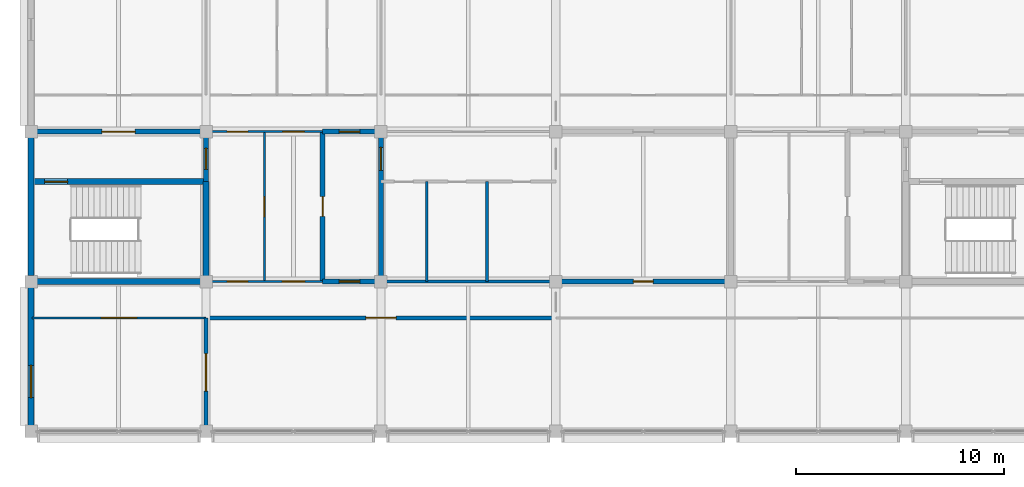
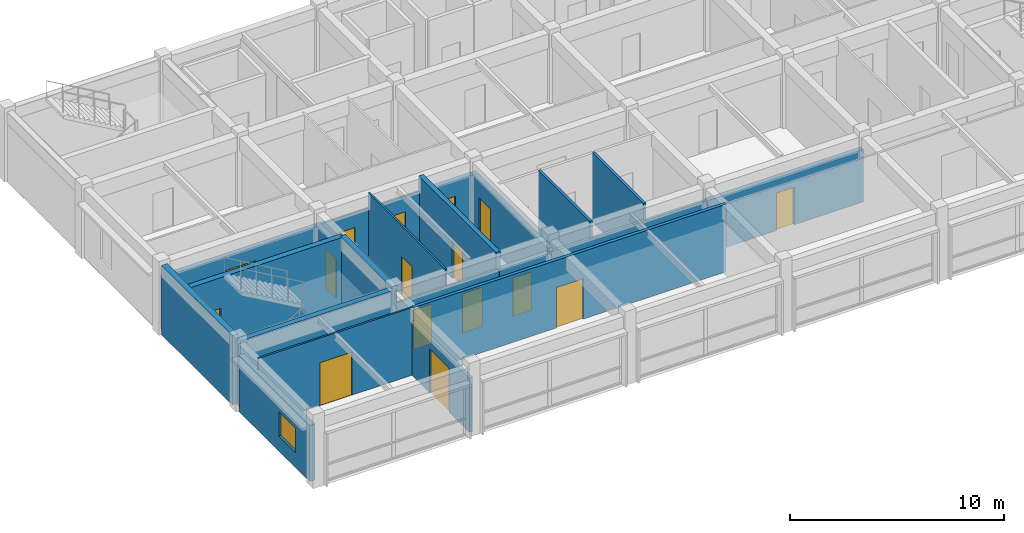
# One storey, part 8 of 13: 21 walls, 16 doors, 1 window, 17 openings.
"""IFC4 building model written with IfcOpenShell, lengths in metres."""

from ifc_helpers import new_model, si_unit, direction, frame, frame_2d, origin, place, context, subcontext, project, spatial, rectangle, extrude, material, layer, layer_set, type_object, element, fill, save


model = new_model("IFC4")

# Units and contexts
model_context = context("Model", 3, precision=1e-05, world=origin(), true_north=direction((0.0, 1.0)))
body_context = subcontext(model_context, "Body", "Model", "MODEL_VIEW")
ifc_project = project(units=[si_unit("LENGTHUNIT", "METRE"), si_unit("AREAUNIT", "SQUARE_METRE"), si_unit("VOLUMEUNIT", "CUBIC_METRE"), si_unit("PLANEANGLEUNIT", "RADIAN"), si_unit("MASSUNIT", "GRAM", prefix="KILO")], contexts=[model_context])

# Site, building, storey
site_placement = place(None, origin())
site = spatial("IfcSite", under=ifc_project, at=site_placement, CompositionType="ELEMENT")
building_placement = place(site_placement, origin())
building = spatial("IfcBuilding", under=site, at=building_placement, Name="Chengyuan Square Courthouse", CompositionType="ELEMENT")
storey_placement = place(building_placement, frame((0.0, 0.0, 64.5)))
storey = spatial("IfcBuildingStorey", under=building, at=storey_placement, Name="L15", CompositionType="ELEMENT", Elevation=64.5)

# Wall, opening, window
ifc_material_1 = material(Name="Concrete C40", Category="concrete")
ifc_layer_1 = layer(ifc_material_1, 0.280029296875)
ifc_layer_set_1 = layer_set([ifc_layer_1], Name="Concrete C40")
wall_type_1 = type_object("IfcWallType", Name="WL-EW4", PredefinedType="STANDARD", material=ifc_layer_set_1)
wall_1_placement = place(storey_placement, frame((58.800048828125, 79.4951171875, 0.0), z_axis=(0.0, 0.0, 1.0), x_axis=(0.0, 1.0, 0.0)))
wall_1 = element("IfcWall", 1, at=wall_1_placement, inside=storey, type_object=wall_type_1, Name="Exterior Wall WL-L15-E522", PredefinedType="STANDARD", context=body_context, shape_type="SweptSolid", body=[
    extrude(rectangle(XDim=6.60986328125, YDim=0.280029296875, at=frame_2d((3.304931640625, 0.0))), origin(), (0.0, 0.0, 1.0), 3.199951171875),
])
opening_1_placement = place(wall_1_placement, frame((1.330078125, 0.0, 0.85009765625)))
opening_1 = element("IfcOpeningElement", 2, at=opening_1_placement, cuts=wall_1, Name="Opening WN-242", PredefinedType="OPENING", context=body_context, shape_type="SweptSolid", body=[
    extrude(rectangle(XDim=1.550048828125, YDim=1.3798828125, at=frame_2d((0.77490234375, 0.68994140625))), frame((0.0, 0.152099609375, 0.0), z_axis=(0.0, -1.0, 0.0), x_axis=(1.0, 0.0, 0.0)), (0.0, 0.0, 1.0), 0.303955078125),
])
ifc_material_2 = material(Name="Thermally Broken Aluminium Triple Low-E Window", Category="aluminium")
window_type = type_object("IfcWindowType", Name="WT-26", PartitioningType="SINGLE_PANEL", PredefinedType="WINDOW", material=ifc_material_2)
window_placement = place(opening_1_placement, origin())
window = element("IfcWindow", 3, at=window_placement, inside=storey, type_object=window_type, Name="Facade Window WN-242", OverallHeight=1.3798828125, OverallWidth=1.550048828125, PartitioningType="SINGLE_PANEL", PredefinedType="WINDOW", context=body_context, shape_type="SweptSolid", body=[
    extrude(rectangle(XDim=1.550048828125, YDim=1.3798828125, at=frame_2d((0.77490234375, 0.68994140625))), frame((0.0, 0.030029296875, 0.0), z_axis=(0.0, -1.0, 0.0), x_axis=(1.0, 0.0, 0.0)), (0.0, 0.0, 1.0), 0.06005859375),
])
fill(opening_1, window)

# Wall, opening, door
ifc_layer_2 = layer(ifc_material_1, 0.25)
ifc_layer_set_2 = layer_set([ifc_layer_2], Name="Concrete C40")
wall_type_2 = type_object("IfcWallType", Name="WL-FW1", PredefinedType="STANDARD", material=ifc_layer_set_2)
wall_2_placement = place(storey_placement, frame((72.800048828125, 86.39990234375, 0.0), z_axis=(0.0, 0.0, 1.0), x_axis=(1.0, 0.0, 0.0)))
wall_2 = element("IfcWall", 4, at=wall_2_placement, inside=storey, type_object=wall_type_2, Name="Interior Wall WL-L15-I3997", PredefinedType="STANDARD", context=body_context, shape_type="SweptSolid", body=[
    extrude(rectangle(XDim=2.800048828125, YDim=0.25, at=frame_2d((1.39990234375, 0.0))), origin(), (0.0, 0.0, 1.0), 3.0),
])
opening_2_placement = place(wall_2_placement, frame((0.7900390625, 0.0, 0.0)))
opening_2 = element("IfcOpeningElement", 5, at=opening_2_placement, cuts=wall_2, Name="Opening DR-3358", PredefinedType="OPENING", context=body_context, shape_type="SweptSolid", body=[
    extrude(rectangle(XDim=1.0, YDim=2.199951171875, at=frame_2d((0.5, 1.10009765625))), frame((0.0, 0.136962890625, 0.0), z_axis=(0.0, -1.0, 0.0), x_axis=(1.0, 0.0, 0.0)), (0.0, 0.0, 1.0), 0.27392578125),
])
ifc_material_3 = material(Name="Steel Q235B Fire Door", Category="steel")
door_type_1 = type_object("IfcDoorType", Name="DT-11", OperationType="NOTDEFINED", PredefinedType="DOOR", material=ifc_material_3)
door_1_placement = place(opening_2_placement, origin())
door_1 = element("IfcDoor", 6, at=door_1_placement, inside=storey, type_object=door_type_1, Name="Interior Door DR-3358", OperationType="SINGLE_SWING_LEFT", OverallHeight=2.199951171875, OverallWidth=1.0, PredefinedType="DOOR", context=body_context, shape_type="SweptSolid", body=[
    extrude(rectangle(XDim=1.0, YDim=2.199951171875, at=frame_2d((0.5, 1.10009765625))), frame((0.0, 0.02490234375, 0.0), z_axis=(0.0, -1.0, 0.0), x_axis=(1.0, 0.0, 0.0)), (0.0, 0.0, 1.0), 0.050048828125),
])
fill(opening_2, door_1)

wall_3_placement = place(storey_placement, frame((84.0, 86.39990234375, 0.0), z_axis=(0.0, 0.0, 1.0), x_axis=(1.0, 0.0, 0.0)))
wall_3 = element("IfcWall", 7, at=wall_3_placement, inside=storey, type_object=wall_type_2, Name="Interior Wall WL-L15-I3999", PredefinedType="STANDARD", context=body_context, shape_type="SweptSolid", body=[
    extrude(rectangle(XDim=8.39990234375, YDim=0.25, at=frame_2d((4.199951171875, 0.0))), origin(), (0.0, 0.0, 1.0), 3.0),
])
opening_3_placement = place(wall_3_placement, frame((3.72509765625, 0.0, 0.0)))
opening_3 = element("IfcOpeningElement", 8, at=opening_3_placement, cuts=wall_3, Name="Opening DR-3359", PredefinedType="OPENING", context=body_context, shape_type="SweptSolid", body=[
    extrude(rectangle(XDim=0.949951171875, YDim=2.14990234375, at=frame_2d((0.47509765625, 1.074951171875))), frame((0.0, 0.136962890625, 0.0), z_axis=(0.0, -1.0, 0.0), x_axis=(1.0, 0.0, 0.0)), (0.0, 0.0, 1.0), 0.27392578125),
])
door_type_2 = type_object("IfcDoorType", Name="DT-12", OperationType="NOTDEFINED", PredefinedType="DOOR", material=ifc_material_3)
door_2_placement = place(opening_3_placement, origin())
door_2 = element("IfcDoor", 9, at=door_2_placement, inside=storey, type_object=door_type_2, Name="Interior Door DR-3359", OperationType="SINGLE_SWING_RIGHT", OverallHeight=2.14990234375, OverallWidth=0.949951171875, PredefinedType="DOOR", context=body_context, shape_type="SweptSolid", body=[
    extrude(rectangle(XDim=0.949951171875, YDim=2.14990234375, at=frame_2d((0.47509765625, 1.074951171875))), frame((0.0, 0.02490234375, 0.0), z_axis=(0.0, -1.0, 0.0), x_axis=(1.0, 0.0, 0.0)), (0.0, 0.0, 1.0), 0.050048828125),
])
fill(opening_3, door_2)

wall_4_placement = place(storey_placement, frame((58.840087890625, 93.60009765625, 0.0), z_axis=(0.0, 0.0, 1.0), x_axis=(1.0, 0.0, 0.0)))
wall_4 = element("IfcWall", 10, at=wall_4_placement, inside=storey, type_object=wall_type_2, Name="Interior Wall WL-L15-I4006", PredefinedType="STANDARD", context=body_context, shape_type="SweptSolid", body=[
    extrude(rectangle(XDim=8.35986328125, YDim=0.25, at=frame_2d((4.179931640625, 0.0))), origin(), (0.0, 0.0, 1.0), 3.10009765625),
])
opening_4_placement = place(wall_4_placement, frame((3.360107421875, 0.0, 0.0)))
opening_4 = element("IfcOpeningElement", 11, at=opening_4_placement, cuts=wall_4, Name="Opening DR-3309", PredefinedType="OPENING", context=body_context, shape_type="SweptSolid", body=[
    extrude(rectangle(XDim=1.60009765625, YDim=2.300048828125, at=frame_2d((0.800048828125, 1.14990234375))), frame((0.0, 0.136962890625, 0.0), z_axis=(0.0, -1.0, 0.0), x_axis=(1.0, 0.0, 0.0)), (0.0, 0.0, 1.0), 0.27392578125),
])
ifc_material_4 = material(Name="Steel Q235B Glazed Fire Door", Category="steel")
door_type_3 = type_object("IfcDoorType", Name="DT-17", OperationType="DOUBLE_DOOR_SINGLE_SWING", PredefinedType="DOOR", material=ifc_material_4)
door_3_placement = place(opening_4_placement, frame((1.60009765625, 0.0, 0.0), z_axis=(0.0, 0.0, 1.0), x_axis=(-1.0, 0.0, 0.0)))
door_3 = element("IfcDoor", 12, at=door_3_placement, inside=storey, type_object=door_type_3, Name="Interior Door DR-3309", OperationType="DOUBLE_DOOR_SINGLE_SWING", OverallHeight=2.300048828125, OverallWidth=1.60009765625, PredefinedType="DOOR", context=body_context, shape_type="SweptSolid", body=[
    extrude(rectangle(XDim=1.60009765625, YDim=2.300048828125, at=frame_2d((0.800048828125, 1.14990234375))), frame((0.0, 0.02490234375, 0.0), z_axis=(0.0, -1.0, 0.0), x_axis=(1.0, 0.0, 0.0)), (0.0, 0.0, 1.0), 0.050048828125),
])
fill(opening_4, door_3)

wall_5_placement = place(storey_placement, frame((72.800048828125, 93.60009765625, 0.0), z_axis=(0.0, 0.0, 1.0), x_axis=(1.0, 0.0, 0.0)))
wall_5 = element("IfcWall", 13, at=wall_5_placement, inside=storey, type_object=wall_type_2, Name="Interior Wall WL-L15-I4008", PredefinedType="STANDARD", context=body_context, shape_type="SweptSolid", body=[
    extrude(rectangle(XDim=2.800048828125, YDim=0.25, at=frame_2d((1.39990234375, 0.0))), origin(), (0.0, 0.0, 1.0), 3.10009765625),
])
opening_5_placement = place(wall_5_placement, frame((0.7900390625, 0.0, 0.0)))
opening_5 = element("IfcOpeningElement", 14, at=opening_5_placement, cuts=wall_5, Name="Opening DR-3340", PredefinedType="OPENING", context=body_context, shape_type="SweptSolid", body=[
    extrude(rectangle(XDim=1.0, YDim=2.199951171875, at=frame_2d((0.5, 1.10009765625))), frame((0.0, 0.136962890625, 0.0), z_axis=(0.0, -1.0, 0.0), x_axis=(1.0, 0.0, 0.0)), (0.0, 0.0, 1.0), 0.27392578125),
])
door_4_placement = place(opening_5_placement, origin())
door_4 = element("IfcDoor", 15, at=door_4_placement, inside=storey, type_object=door_type_1, Name="Interior Door DR-3340", OperationType="SINGLE_SWING_LEFT", OverallHeight=2.199951171875, OverallWidth=1.0, PredefinedType="DOOR", context=body_context, shape_type="SweptSolid", body=[
    extrude(rectangle(XDim=1.0, YDim=2.199951171875, at=frame_2d((0.5, 1.10009765625))), frame((0.0, 0.02490234375, 0.0), z_axis=(0.0, -1.0, 0.0), x_axis=(1.0, 0.0, 0.0)), (0.0, 0.0, 1.0), 0.050048828125),
])
fill(opening_5, door_4)

wall_6_placement = place(storey_placement, frame((67.199951171875, 91.199951171875, 0.0), z_axis=(0.0, 0.0, 1.0), x_axis=(0.0, 1.0, 0.0)))
wall_6 = element("IfcWall", 16, at=wall_6_placement, inside=storey, type_object=wall_type_2, Name="Interior Wall WL-L15-I4039", PredefinedType="STANDARD", context=body_context, shape_type="SweptSolid", body=[
    extrude(rectangle(XDim=2.400146484375, YDim=0.25, at=frame_2d((1.2001953125, 0.0))), origin(), (0.0, 0.0, 1.0), 3.199951171875),
])
opening_6_placement = place(wall_6_placement, frame((0.590087890625, 0.0, 0.0)))
opening_6 = element("IfcOpeningElement", 17, at=opening_6_placement, cuts=wall_6, Name="Opening DR-3310", PredefinedType="OPENING", context=body_context, shape_type="SweptSolid", body=[
    extrude(rectangle(XDim=1.0, YDim=2.199951171875, at=frame_2d((0.5, 1.10009765625))), frame((0.0, 0.136962890625, 0.0), z_axis=(0.0, -1.0, 0.0), x_axis=(1.0, 0.0, 0.0)), (0.0, 0.0, 1.0), 0.27392578125),
])
door_5_placement = place(opening_6_placement, origin())
door_5 = element("IfcDoor", 18, at=door_5_placement, inside=storey, type_object=door_type_1, Name="Interior Door DR-3310", OperationType="SINGLE_SWING_RIGHT", OverallHeight=2.199951171875, OverallWidth=1.0, PredefinedType="DOOR", context=body_context, shape_type="SweptSolid", body=[
    extrude(rectangle(XDim=1.0, YDim=2.199951171875, at=frame_2d((0.5, 1.10009765625))), frame((0.0, 0.02490234375, 0.0), z_axis=(0.0, -1.0, 0.0), x_axis=(1.0, 0.0, 0.0)), (0.0, 0.0, 1.0), 0.050048828125),
])
fill(opening_6, door_5)

wall_7_placement = place(storey_placement, frame((72.800048828125, 86.39990234375, 0.0), z_axis=(0.0, 0.0, 1.0), x_axis=(0.0, 1.0, 0.0)))
wall_7 = element("IfcWall", 19, at=wall_7_placement, inside=storey, type_object=wall_type_2, Name="Interior Wall WL-L15-I4050", PredefinedType="STANDARD", context=body_context, shape_type="SweptSolid", body=[
    extrude(rectangle(XDim=7.2001953125, YDim=0.25, at=frame_2d((3.60009765625, 0.0))), origin(), (0.0, 0.0, 1.0), 3.949951171875),
])
opening_7_placement = place(wall_7_placement, frame((3.125, 0.0, 0.0)))
opening_7 = element("IfcOpeningElement", 20, at=opening_7_placement, cuts=wall_7, Name="Opening DR-3356", PredefinedType="OPENING", context=body_context, shape_type="SweptSolid", body=[
    extrude(rectangle(XDim=0.949951171875, YDim=2.14990234375, at=frame_2d((0.47509765625, 1.074951171875))), frame((0.0, 0.136962890625, 0.0), z_axis=(0.0, -1.0, 0.0), x_axis=(1.0, 0.0, 0.0)), (0.0, 0.0, 1.0), 0.27392578125),
])
door_6_placement = place(opening_7_placement, origin())
door_6 = element("IfcDoor", 21, at=door_6_placement, inside=storey, type_object=door_type_2, Name="Interior Door DR-3356", OperationType="SINGLE_SWING_LEFT", OverallHeight=2.14990234375, OverallWidth=0.949951171875, PredefinedType="DOOR", context=body_context, shape_type="SweptSolid", body=[
    extrude(rectangle(XDim=0.949951171875, YDim=2.14990234375, at=frame_2d((0.47509765625, 1.074951171875))), frame((0.0, 0.02490234375, 0.0), z_axis=(0.0, -1.0, 0.0), x_axis=(1.0, 0.0, 0.0)), (0.0, 0.0, 1.0), 0.050048828125),
])
fill(opening_7, door_6)

wall_8_placement = place(storey_placement, frame((75.60009765625, 86.39990234375, 0.0), z_axis=(0.0, 0.0, 1.0), x_axis=(0.0, 1.0, 0.0)))
wall_8 = element("IfcWall", 22, at=wall_8_placement, inside=storey, type_object=wall_type_2, Name="Interior Wall WL-L15-I4052", PredefinedType="STANDARD", context=body_context, shape_type="SweptSolid", body=[
    extrude(rectangle(XDim=7.2001953125, YDim=0.25, at=frame_2d((3.60009765625, 0.0))), origin(), (0.0, 0.0, 1.0), 3.199951171875),
])
opening_8_placement = place(wall_8_placement, frame((5.340087890625, 0.0, 0.0)))
opening_8 = element("IfcOpeningElement", 23, at=opening_8_placement, cuts=wall_8, Name="Opening DR-3330", PredefinedType="OPENING", context=body_context, shape_type="SweptSolid", body=[
    extrude(rectangle(XDim=1.10009765625, YDim=2.199951171875, at=frame_2d((0.550048828125, 1.10009765625))), frame((0.0, 0.136962890625, 0.0), z_axis=(0.0, -1.0, 0.0), x_axis=(1.0, 0.0, 0.0)), (0.0, 0.0, 1.0), 0.27392578125),
])
door_type_4 = type_object("IfcDoorType", Name="DT-10", OperationType="NOTDEFINED", PredefinedType="DOOR", material=ifc_material_3)
door_7_placement = place(opening_8_placement, origin())
door_7 = element("IfcDoor", 24, at=door_7_placement, inside=storey, type_object=door_type_4, Name="Interior Door DR-3330", OperationType="SINGLE_SWING_LEFT", OverallHeight=2.199951171875, OverallWidth=1.10009765625, PredefinedType="DOOR", context=body_context, shape_type="SweptSolid", body=[
    extrude(rectangle(XDim=1.10009765625, YDim=2.199951171875, at=frame_2d((0.550048828125, 1.10009765625))), frame((0.0, 0.02490234375, 0.0), z_axis=(0.0, -1.0, 0.0), x_axis=(1.0, 0.0, 0.0)), (0.0, 0.0, 1.0), 0.050048828125),
])
fill(opening_8, door_7)

ifc_material_5 = material(Name="Double-Stud Acoustic Gypsum Courtroom Partition")
ifc_layer_3 = layer(ifc_material_5, 0.179931640625)
ifc_layer_set_3 = layer_set([ifc_layer_3], Name="Double-Stud Acoustic Gypsum Courtroom Partition")
wall_type_3 = type_object("IfcWallType", Name="WL-PT1", PredefinedType="STANDARD", material=ifc_layer_set_3)
wall_9_placement = place(storey_placement, frame((67.199951171875, 84.64990234375, 0.0), z_axis=(0.0, 0.0, 1.0), x_axis=(1.0, 0.0, 0.0)))
wall_9 = element("IfcWall", 25, at=wall_9_placement, inside=storey, type_object=wall_type_3, Name="Interior Wall WL-L15-I3993", PredefinedType="STANDARD", context=body_context, shape_type="SweptSolid", body=[
    extrude(rectangle(XDim=16.800048828125, YDim=0.179931640625, at=frame_2d((8.39990234375, 0.0))), origin(), (0.0, 0.0, 1.0), 3.85009765625),
])
opening_9_placement = place(wall_9_placement, frame((7.675048828125, 0.0, 0.0)))
opening_9 = element("IfcOpeningElement", 26, at=opening_9_placement, cuts=wall_9, Name="Opening DR-3367", PredefinedType="OPENING", context=body_context, shape_type="SweptSolid", body=[
    extrude(rectangle(XDim=1.449951171875, YDim=2.300048828125, at=frame_2d((0.72509765625, 1.14990234375))), frame((0.0, 0.10205078125, 0.0), z_axis=(0.0, -1.0, 0.0), x_axis=(1.0, 0.0, 0.0)), (0.0, 0.0, 1.0), 0.203857421875),
])
ifc_material_6 = material(Name="Acoustic Larch Veneer Double Door")
door_type_5 = type_object("IfcDoorType", Name="DT-25", OperationType="DOUBLE_DOOR_SINGLE_SWING", PredefinedType="DOOR", material=ifc_material_6)
door_8_placement = place(opening_9_placement, frame((1.449951171875, 0.0, 0.0), z_axis=(0.0, 0.0, 1.0), x_axis=(-1.0, 0.0, 0.0)))
door_8 = element("IfcDoor", 27, at=door_8_placement, inside=storey, type_object=door_type_5, Name="Interior Door DR-3367", OperationType="DOUBLE_DOOR_SINGLE_SWING", OverallHeight=2.300048828125, OverallWidth=1.449951171875, PredefinedType="DOOR", context=body_context, shape_type="SweptSolid", body=[
    extrude(rectangle(XDim=1.449951171875, YDim=2.300048828125, at=frame_2d((0.72509765625, 1.14990234375))), frame((0.0, 0.02490234375, 0.0), z_axis=(0.0, -1.0, 0.0), x_axis=(1.0, 0.0, 0.0)), (0.0, 0.0, 1.0), 0.050048828125),
])
fill(opening_9, door_8)

wall_10_placement = place(storey_placement, frame((67.199951171875, 79.239990234375, 0.0), z_axis=(0.0, 0.0, 1.0), x_axis=(0.0, 1.0, 0.0)))
wall_10 = element("IfcWall", 28, at=wall_10_placement, inside=storey, type_object=wall_type_3, Name="Interior Wall WL-L15-I4037", PredefinedType="STANDARD", context=body_context, shape_type="SweptSolid", body=[
    extrude(rectangle(XDim=5.409912109375, YDim=0.179931640625, at=frame_2d((2.705078125, 0.0))), origin(), (0.0, 0.0, 1.0), 3.10009765625),
])
opening_10_placement = place(wall_10_placement, frame((1.89501953125, 0.0, 0.0)))
opening_10 = element("IfcOpeningElement", 29, at=opening_10_placement, cuts=wall_10, Name="Opening DR-3369", PredefinedType="OPENING", context=body_context, shape_type="SweptSolid", body=[
    extrude(rectangle(XDim=1.800048828125, YDim=2.5, at=frame_2d((0.89990234375, 1.25))), frame((0.0, 0.10205078125, 0.0), z_axis=(0.0, -1.0, 0.0), x_axis=(1.0, 0.0, 0.0)), (0.0, 0.0, 1.0), 0.203857421875),
])
door_type_6 = type_object("IfcDoorType", Name="DT-21", OperationType="DOUBLE_DOOR_SINGLE_SWING", PredefinedType="DOOR", material=ifc_material_6)
door_9_placement = place(opening_10_placement, frame((1.800048828125, 0.0, 0.0), z_axis=(0.0, 0.0, 1.0), x_axis=(-1.0, 0.0, 0.0)))
door_9 = element("IfcDoor", 30, at=door_9_placement, inside=storey, type_object=door_type_6, Name="Interior Door DR-3369", OperationType="DOUBLE_DOOR_SINGLE_SWING", OverallHeight=2.5, OverallWidth=1.800048828125, PredefinedType="DOOR", context=body_context, shape_type="SweptSolid", body=[
    extrude(rectangle(XDim=1.800048828125, YDim=2.5, at=frame_2d((0.89990234375, 1.25))), frame((0.0, 0.02490234375, 0.0), z_axis=(0.0, -1.0, 0.0), x_axis=(1.0, 0.0, 0.0)), (0.0, 0.0, 1.0), 0.050048828125),
])
fill(opening_10, door_9)

# Walls
ifc_material_7 = material(Name="Moisture-Resistant Masonry Wet-Room Partition", Category="masonry")
ifc_layer_4 = layer(ifc_material_7, 0.139892578125)
ifc_layer_set_4 = layer_set([ifc_layer_4], Name="Moisture-Resistant Masonry Wet-Room Partition")
wall_type_4 = type_object("IfcWallType", Name="WL-PT4", PredefinedType="STANDARD", material=ifc_layer_set_4)
wall_11_placement = place(storey_placement, frame((75.60009765625, 86.39990234375, 0.0), z_axis=(0.0, 0.0, 1.0), x_axis=(1.0, 0.0, 0.0)))
element("IfcWall", 31, at=wall_11_placement, inside=storey, type_object=wall_type_4, Name="Interior Wall WL-L15-I3998", PredefinedType="STANDARD", context=body_context, shape_type="SweptSolid", body=[
    extrude(rectangle(XDim=8.39990234375, YDim=0.139892578125, at=frame_2d((4.199951171875, 0.0))), origin(), (0.0, 0.0, 1.0), 3.0),
])
for number, where, z_axis, x_axis, name in (
    (32, (77.800048828125, 86.39990234375, 0.0), (0.0, 0.0, 1.0), (0.0, 1.0, 0.0), "Interior Wall WL-L15-I4057"),
    (33, (80.699951171875, 86.39990234375, 0.0), (0.0, 0.0, 1.0), (0.0, 1.0, 0.0), "Interior Wall WL-L15-I4060"),
):
    element("IfcWall", number, at=place(storey_placement, frame(where, z_axis=z_axis, x_axis=x_axis)), inside=storey, type_object=wall_type_4, Name=name, PredefinedType="STANDARD", context=body_context, shape_type="SweptSolid", body=[
        extrude(rectangle(XDim=4.800048828125, YDim=0.139892578125, at=frame_2d((2.39990234375, 0.0))), origin(), (0.0, 0.0, 1.0), 3.949951171875),
    ])

# Wall, opening, door
ifc_material_8 = material(Name="Gypsum Plasterboard Acoustic Stud Partition")
ifc_layer_5 = layer(ifc_material_8, 0.10009765625)
ifc_layer_set_5 = layer_set([ifc_layer_5], Name="Gypsum Plasterboard Acoustic Stud Partition")
wall_type_5 = type_object("IfcWallType", Name="WL-PT6", PredefinedType="STANDARD", material=ifc_layer_set_5)
wall_12_placement = place(storey_placement, frame((58.840087890625, 84.64990234375, 0.0), z_axis=(0.0, 0.0, 1.0), x_axis=(1.0, 0.0, 0.0)))
wall_12 = element("IfcWall", 34, at=wall_12_placement, inside=storey, type_object=wall_type_5, Name="Interior Wall WL-L15-I3992", PredefinedType="STANDARD", context=body_context, shape_type="SweptSolid", body=[
    extrude(rectangle(XDim=8.35986328125, YDim=0.10009765625, at=frame_2d((4.179931640625, 0.0))), origin(), (0.0, 0.0, 1.0), 3.85009765625),
])
opening_11_placement = place(wall_12_placement, frame((3.330078125, 0.0, 0.0)))
opening_11 = element("IfcOpeningElement", 35, at=opening_11_placement, cuts=wall_12, Name="Opening DR-3366", PredefinedType="OPENING", context=body_context, shape_type="SweptSolid", body=[
    extrude(rectangle(XDim=1.699951171875, YDim=2.449951171875, at=frame_2d((0.85009765625, 1.22509765625))), frame((0.0, 0.06201171875, 0.0), z_axis=(0.0, -1.0, 0.0), x_axis=(1.0, 0.0, 0.0)), (0.0, 0.0, 1.0), 0.1240234375),
])
door_type_7 = type_object("IfcDoorType", Name="DT-24", OperationType="DOUBLE_DOOR_SINGLE_SWING", PredefinedType="DOOR", material=ifc_material_6)
door_10_placement = place(opening_11_placement, frame((1.699951171875, 0.0, 0.0), z_axis=(0.0, 0.0, 1.0), x_axis=(-1.0, 0.0, 0.0)))
door_10 = element("IfcDoor", 36, at=door_10_placement, inside=storey, type_object=door_type_7, Name="Interior Door DR-3366", OperationType="DOUBLE_DOOR_SINGLE_SWING", OverallHeight=2.449951171875, OverallWidth=1.699951171875, PredefinedType="DOOR", context=body_context, shape_type="SweptSolid", body=[
    extrude(rectangle(XDim=1.699951171875, YDim=2.449951171875, at=frame_2d((0.85009765625, 1.22509765625))), frame((0.0, 0.02490234375, 0.0), z_axis=(0.0, -1.0, 0.0), x_axis=(1.0, 0.0, 0.0)), (0.0, 0.0, 1.0), 0.050048828125),
])
fill(opening_11, door_10)

# Wall, openings, doors
wall_13_placement = place(storey_placement, frame((67.199951171875, 86.39990234375, 0.0), z_axis=(0.0, 0.0, 1.0), x_axis=(1.0, 0.0, 0.0)))
wall_13 = element("IfcWall", 37, at=wall_13_placement, inside=storey, type_object=wall_type_5, Name="Interior Wall WL-L15-I3996", PredefinedType="STANDARD", context=body_context, shape_type="SweptSolid", body=[
    extrude(rectangle(XDim=5.60009765625, YDim=0.10009765625, at=frame_2d((2.800048828125, 0.0))), origin(), (0.0, 0.0, 1.0), 3.0),
])
opening_12_placement = place(wall_13_placement, frame((1.010009765625, 0.0, 0.0)))
opening_12 = element("IfcOpeningElement", 38, at=opening_12_placement, cuts=wall_13, Name="Opening DR-3355", PredefinedType="OPENING", context=body_context, shape_type="SweptSolid", body=[
    extrude(rectangle(XDim=1.0, YDim=2.25, at=frame_2d((0.5, 1.125))), frame((0.0, 0.06201171875, 0.0), z_axis=(0.0, -1.0, 0.0), x_axis=(1.0, 0.0, 0.0)), (0.0, 0.0, 1.0), 0.1240234375),
])
opening_13_placement = place(wall_13_placement, frame((3.659912109375, 0.0, 0.0)))
opening_13 = element("IfcOpeningElement", 39, at=opening_13_placement, cuts=wall_13, Name="Opening DR-3357", PredefinedType="OPENING", context=body_context, shape_type="SweptSolid", body=[
    extrude(rectangle(XDim=1.080078125, YDim=2.25, at=frame_2d((0.5400390625, 1.125))), frame((0.0, 0.06201171875, 0.0), z_axis=(0.0, -1.0, 0.0), x_axis=(1.0, 0.0, 0.0)), (0.0, 0.0, 1.0), 0.1240234375),
])
ifc_material_9 = material(Name="Acoustic Solid-Core Timber Door", Category="wood")
door_type_8 = type_object("IfcDoorType", Name="DT-31", OperationType="NOTDEFINED", PredefinedType="DOOR", material=ifc_material_9)
door_11_placement = place(opening_12_placement, origin())
door_11 = element("IfcDoor", 40, at=door_11_placement, inside=storey, type_object=door_type_8, Name="Interior Door DR-3355", OperationType="SINGLE_SWING_RIGHT", OverallHeight=2.25, OverallWidth=1.0, PredefinedType="DOOR", context=body_context, shape_type="SweptSolid", body=[
    extrude(rectangle(XDim=1.0, YDim=2.25, at=frame_2d((0.5, 1.125))), frame((0.0, 0.02490234375, 0.0), z_axis=(0.0, -1.0, 0.0), x_axis=(1.0, 0.0, 0.0)), (0.0, 0.0, 1.0), 0.050048828125),
])
fill(opening_12, door_11)
door_type_9 = type_object("IfcDoorType", Name="DT-33", OperationType="NOTDEFINED", PredefinedType="DOOR", material=ifc_material_9)
door_12_placement = place(opening_13_placement, origin())
door_12 = element("IfcDoor", 41, at=door_12_placement, inside=storey, type_object=door_type_9, Name="Interior Door DR-3357", OperationType="SINGLE_SWING_RIGHT", OverallHeight=2.25, OverallWidth=1.080078125, PredefinedType="DOOR", context=body_context, shape_type="SweptSolid", body=[
    extrude(rectangle(XDim=1.080078125, YDim=2.25, at=frame_2d((0.5400390625, 1.125))), frame((0.0, 0.02490234375, 0.0), z_axis=(0.0, -1.0, 0.0), x_axis=(1.0, 0.0, 0.0)), (0.0, 0.0, 1.0), 0.050048828125),
])
fill(opening_13, door_12)

wall_14_placement = place(storey_placement, frame((67.199951171875, 93.60009765625, 0.0), z_axis=(0.0, 0.0, 1.0), x_axis=(1.0, 0.0, 0.0)))
wall_14 = element("IfcWall", 42, at=wall_14_placement, inside=storey, type_object=wall_type_5, Name="Interior Wall WL-L15-I4007", PredefinedType="STANDARD", context=body_context, shape_type="SweptSolid", body=[
    extrude(rectangle(XDim=5.60009765625, YDim=0.10009765625, at=frame_2d((2.800048828125, 0.0))), origin(), (0.0, 0.0, 1.0), 3.10009765625),
])
opening_14_placement = place(wall_14_placement, frame((1.010009765625, 0.0, 0.0)))
opening_14 = element("IfcOpeningElement", 43, at=opening_14_placement, cuts=wall_14, Name="Opening DR-3338", PredefinedType="OPENING", context=body_context, shape_type="SweptSolid", body=[
    extrude(rectangle(XDim=1.0, YDim=2.25, at=frame_2d((0.5, 1.125))), frame((0.0, 0.06201171875, 0.0), z_axis=(0.0, -1.0, 0.0), x_axis=(1.0, 0.0, 0.0)), (0.0, 0.0, 1.0), 0.1240234375),
])
opening_15_placement = place(wall_14_placement, frame((3.679931640625, 0.0, 0.0)))
opening_15 = element("IfcOpeningElement", 44, at=opening_15_placement, cuts=wall_14, Name="Opening DR-3339", PredefinedType="OPENING", context=body_context, shape_type="SweptSolid", body=[
    extrude(rectangle(XDim=1.0400390625, YDim=2.199951171875, at=frame_2d((0.52001953125, 1.10009765625))), frame((0.0, 0.06201171875, 0.0), z_axis=(0.0, -1.0, 0.0), x_axis=(1.0, 0.0, 0.0)), (0.0, 0.0, 1.0), 0.1240234375),
])
door_13_placement = place(opening_14_placement, origin())
door_13 = element("IfcDoor", 45, at=door_13_placement, inside=storey, type_object=door_type_8, Name="Interior Door DR-3338", OperationType="SINGLE_SWING_LEFT", OverallHeight=2.25, OverallWidth=1.0, PredefinedType="DOOR", context=body_context, shape_type="SweptSolid", body=[
    extrude(rectangle(XDim=1.0, YDim=2.25, at=frame_2d((0.5, 1.125))), frame((0.0, 0.02490234375, 0.0), z_axis=(0.0, -1.0, 0.0), x_axis=(1.0, 0.0, 0.0)), (0.0, 0.0, 1.0), 0.050048828125),
])
fill(opening_14, door_13)
door_type_10 = type_object("IfcDoorType", Name="DT-32", OperationType="NOTDEFINED", PredefinedType="DOOR", material=ifc_material_9)
door_14_placement = place(opening_15_placement, origin())
door_14 = element("IfcDoor", 46, at=door_14_placement, inside=storey, type_object=door_type_10, Name="Interior Door DR-3339", OperationType="SINGLE_SWING_RIGHT", OverallHeight=2.199951171875, OverallWidth=1.0400390625, PredefinedType="DOOR", context=body_context, shape_type="SweptSolid", body=[
    extrude(rectangle(XDim=1.0400390625, YDim=2.199951171875, at=frame_2d((0.52001953125, 1.10009765625))), frame((0.0, 0.02490234375, 0.0), z_axis=(0.0, -1.0, 0.0), x_axis=(1.0, 0.0, 0.0)), (0.0, 0.0, 1.0), 0.050048828125),
])
fill(opening_15, door_14)

# Wall, opening, door
wall_15_placement = place(storey_placement, frame((70.0, 86.39990234375, 0.0), z_axis=(0.0, 0.0, 1.0), x_axis=(0.0, 1.0, 0.0)))
wall_15 = element("IfcWall", 47, at=wall_15_placement, inside=storey, type_object=wall_type_5, Name="Interior Wall WL-L15-I4045", PredefinedType="STANDARD", context=body_context, shape_type="SweptSolid", body=[
    extrude(rectangle(XDim=7.2001953125, YDim=0.10009765625, at=frame_2d((3.60009765625, 0.0))), origin(), (0.0, 0.0, 1.0), 3.949951171875),
])
opening_16_placement = place(wall_15_placement, frame((3.1201171875, 0.0, 0.0)))
opening_16 = element("IfcOpeningElement", 48, at=opening_16_placement, cuts=wall_15, Name="Opening DR-3354", PredefinedType="OPENING", context=body_context, shape_type="SweptSolid", body=[
    extrude(rectangle(XDim=0.9599609375, YDim=2.199951171875, at=frame_2d((0.47998046875, 1.10009765625))), frame((0.0, 0.06201171875, 0.0), z_axis=(0.0, -1.0, 0.0), x_axis=(1.0, 0.0, 0.0)), (0.0, 0.0, 1.0), 0.1240234375),
])
door_type_11 = type_object("IfcDoorType", Name="DT-30", OperationType="NOTDEFINED", PredefinedType="DOOR", material=ifc_material_9)
door_15_placement = place(opening_16_placement, origin())
door_15 = element("IfcDoor", 49, at=door_15_placement, inside=storey, type_object=door_type_11, Name="Interior Door DR-3354", OperationType="SINGLE_SWING_LEFT", OverallHeight=2.199951171875, OverallWidth=0.9599609375, PredefinedType="DOOR", context=body_context, shape_type="SweptSolid", body=[
    extrude(rectangle(XDim=0.9599609375, YDim=2.199951171875, at=frame_2d((0.47998046875, 1.10009765625))), frame((0.0, 0.02490234375, 0.0), z_axis=(0.0, -1.0, 0.0), x_axis=(1.0, 0.0, 0.0)), (0.0, 0.0, 1.0), 0.050048828125),
])
fill(opening_16, door_15)

# Walls
ifc_layer_6 = layer(ifc_material_1, 0.300048828125)
ifc_layer_set_6 = layer_set([ifc_layer_6], Name="Concrete C40")
wall_type_6 = type_object("IfcWallType", Name="WL-SW2", PredefinedType="SHEAR", material=ifc_layer_set_6)
wall_16_placement = place(storey_placement, frame((58.800048828125, 86.695068359375, 0.0), z_axis=(0.0, 0.0, 1.0), x_axis=(0.0, 1.0, 0.0)))
element("IfcWall", 50, at=wall_16_placement, inside=storey, type_object=wall_type_6, Name="Exterior Wall WL-L15-E523", PredefinedType="SHEAR", context=body_context, shape_type="SweptSolid", body=[
    extrude(rectangle(XDim=6.60986328125, YDim=0.300048828125, at=frame_2d((3.304931640625, 0.0))), origin(), (0.0, 0.0, 1.0), 3.949951171875),
])
wall_17_placement = place(storey_placement, frame((58.840087890625, 86.39990234375, 0.0), z_axis=(0.0, 0.0, 1.0), x_axis=(1.0, 0.0, 0.0)))
element("IfcWall", 51, at=wall_17_placement, inside=storey, type_object=wall_type_6, Name="Interior Wall WL-L15-I3995", PredefinedType="SHEAR", context=body_context, shape_type="SweptSolid", body=[
    extrude(rectangle(XDim=8.35986328125, YDim=0.300048828125, at=frame_2d((4.179931640625, 0.0))), origin(), (0.0, 0.0, 1.0), 3.85009765625),
])

# Wall, opening, door
wall_18_placement = place(storey_placement, frame((58.840087890625, 91.199951171875, 0.0), z_axis=(0.0, 0.0, 1.0), x_axis=(1.0, 0.0, 0.0)))
wall_18 = element("IfcWall", 52, at=wall_18_placement, inside=storey, type_object=wall_type_6, Name="Interior Wall WL-L15-I4003", PredefinedType="SHEAR", context=body_context, shape_type="SweptSolid", body=[
    extrude(rectangle(XDim=8.35986328125, YDim=0.300048828125, at=frame_2d((4.179931640625, 0.0))), origin(), (0.0, 0.0, 1.0), 3.949951171875),
])
opening_17_placement = place(wall_18_placement, frame((0.610107421875, 0.0, 0.0)))
opening_17 = element("IfcOpeningElement", 53, at=opening_17_placement, cuts=wall_18, Name="Opening DR-3303", PredefinedType="OPENING", context=body_context, shape_type="SweptSolid", body=[
    extrude(rectangle(XDim=1.10009765625, YDim=2.199951171875, at=frame_2d((0.550048828125, 1.10009765625))), frame((0.0, 0.162109375, 0.0), z_axis=(0.0, -1.0, 0.0), x_axis=(1.0, 0.0, 0.0)), (0.0, 0.0, 1.0), 0.323974609375),
])
door_16_placement = place(opening_17_placement, frame((1.10009765625, 0.0, 0.0), z_axis=(0.0, 0.0, 1.0), x_axis=(-1.0, 0.0, 0.0)))
door_16 = element("IfcDoor", 54, at=door_16_placement, inside=storey, type_object=door_type_4, Name="Smoke-Proof Stairwell Fire Door ST-3 DR-3303", OperationType="SINGLE_SWING_RIGHT", OverallHeight=2.199951171875, OverallWidth=1.10009765625, PredefinedType="DOOR", context=body_context, shape_type="SweptSolid", body=[
    extrude(rectangle(XDim=1.10009765625, YDim=2.199951171875, at=frame_2d((0.550048828125, 1.10009765625))), frame((0.0, 0.02490234375, 0.0), z_axis=(0.0, -1.0, 0.0), x_axis=(1.0, 0.0, 0.0)), (0.0, 0.0, 1.0), 0.050048828125),
])
fill(opening_17, door_16)

# Wall
wall_19_placement = place(storey_placement, frame((67.199951171875, 86.39990234375, 0.0), z_axis=(0.0, 0.0, 1.0), x_axis=(0.0, 1.0, 0.0)))
element("IfcWall", 55, at=wall_19_placement, inside=storey, type_object=wall_type_6, Name="Interior Wall WL-L15-I4038", PredefinedType="SHEAR", context=body_context, shape_type="SweptSolid", body=[
    extrude(rectangle(XDim=4.800048828125, YDim=0.300048828125, at=frame_2d((2.39990234375, 0.0))), origin(), (0.0, 0.0, 1.0), 3.949951171875),
])

save(model, "model.ifc")
